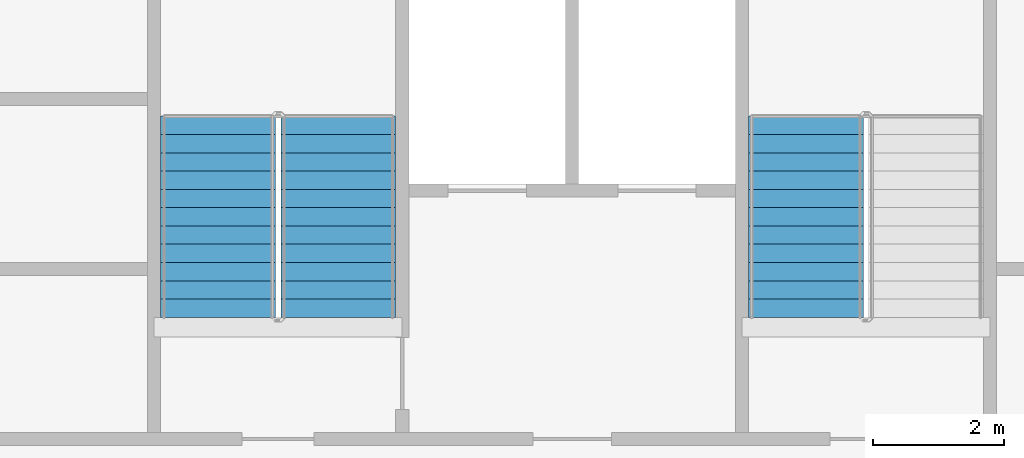
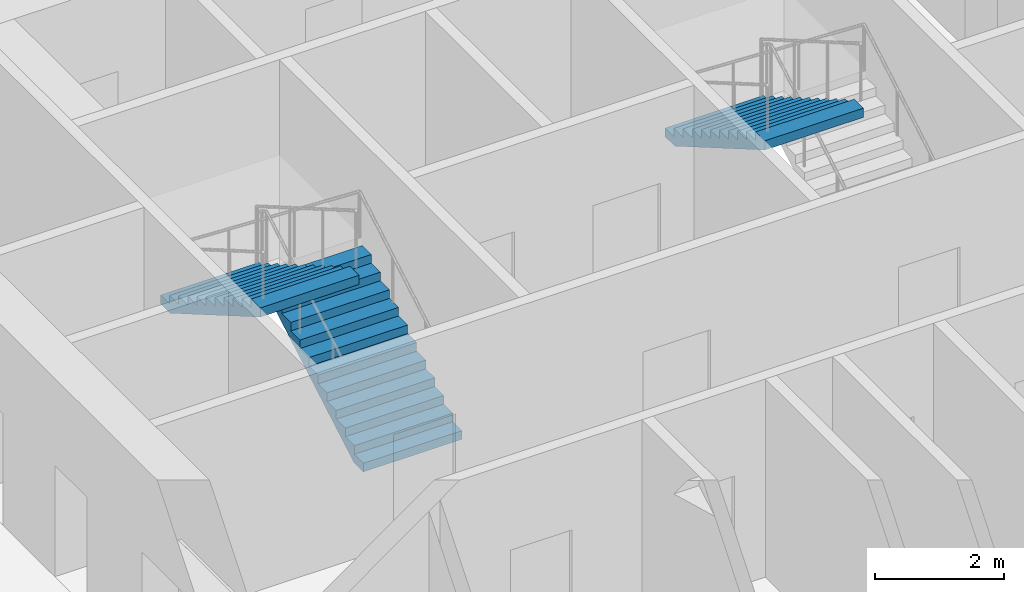
# One storey, part 16 of 22: 3 stair flights, 2 elements without a shape of their own.
"""IFC4 building model written with IfcOpenShell, lengths in metres."""

from ifc_helpers import new_model, si_unit, direction, frame, origin, place, context, subcontext, project, spatial, faceted_brep, material, type_object, element, aggregate, save


model = new_model("IFC4")

# Units and contexts
model_context = context("Model", 3, precision=1e-05, world=origin(), true_north=direction((0.0, 1.0)))
body_context = subcontext(model_context, "Body", "Model", "MODEL_VIEW")
ifc_project = project(units=[si_unit("LENGTHUNIT", "METRE"), si_unit("AREAUNIT", "SQUARE_METRE"), si_unit("VOLUMEUNIT", "CUBIC_METRE"), si_unit("PLANEANGLEUNIT", "RADIAN"), si_unit("MASSUNIT", "GRAM", prefix="KILO")], contexts=[model_context])

# Site, building, storey
site_placement = place(None, origin())
site = spatial("IfcSite", under=ifc_project, at=site_placement, CompositionType="ELEMENT")
building_placement = place(site_placement, origin())
building = spatial("IfcBuilding", under=site, at=building_placement, Name="Tarsis Ring Headquarters", CompositionType="ELEMENT")
storey_placement = place(building_placement, frame((0.0, 0.0, 147.60009765625)))
storey = spatial("IfcBuildingStorey", under=building, at=storey_placement, Name="L33", CompositionType="ELEMENT", Elevation=147.60009765625)

# Stair, stair flights
ifc_material_1 = material(Name="Core stair 1760")
stair_type = type_object("IfcStairType", Name="Core stair 1760", PredefinedType="HALF_TURN_STAIR", material=ifc_material_1)
stair_1_placement = place(storey_placement, origin())
stair_1 = element("IfcStair", 1, at=stair_1_placement, inside=storey, type_object=stair_type, Name="L33 Firefighting stair", PredefinedType="HALF_TURN_STAIR")
ifc_material_2 = material(Name="Concrete C40/50", Category="concrete")
stair_flight_type = type_object("IfcStairFlightType", Name="Core stair flight 1760", PredefinedType="STRAIGHT", material=ifc_material_2)
stair_flight_1_placement = place(storey_placement, frame((-3.580078125, 3.659912109375, 0.0), z_axis=(0.0, 0.0, 1.0), x_axis=(0.0, 1.0, 0.0)))
stair_flight_1 = element("IfcStairFlight", 2, at=stair_flight_1_placement, type_object=stair_flight_type, Name="Stair ST1 flight 1", NumberOfRisers=12, NumberOfTreads=11, PredefinedType="STRAIGHT", RiserHeight=0.1625, TreadLength=0.28, context=body_context, shape_type="Brep", body=[
    faceted_brep([(0.0, 0.8798828125, 0.0), (0.0, 0.8798828125, 0.16259765625), (0.280029296875, 0.8798828125, 0.16259765625), (0.280029296875, 0.8798828125, 0.324951171875), (0.56005859375, 0.8798828125, 0.324951171875), (0.56005859375, 0.8798828125, 0.487548828125), (0.840087890625, 0.8798828125, 0.487548828125), (0.840087890625, 0.8798828125, 0.64990234375), (1.1201171875, 0.8798828125, 0.64990234375), (1.1201171875, 0.8798828125, 0.8125), (1.39990234375, 0.8798828125, 0.8125), (1.39990234375, 0.8798828125, 0.97509765625), (1.679931640625, 0.8798828125, 0.97509765625), (1.679931640625, 0.8798828125, 1.137451171875), (1.9599609375, 0.8798828125, 1.137451171875), (1.9599609375, 0.8798828125, 1.300048828125), (2.239990234375, 0.8798828125, 1.300048828125), (2.239990234375, 0.8798828125, 1.46240234375), (2.52001953125, 0.8798828125, 1.46240234375), (2.52001953125, 0.8798828125, 1.625), (2.800048828125, 0.8798828125, 1.625), (2.800048828125, 0.8798828125, 1.78759765625), (3.080078125, 0.8798828125, 1.78759765625), (3.080078125, 0.8798828125, 1.6142578125), (0.298583984375, 0.8798828125, 0.0), (0.298583984375, -0.8798828125, 0.0), (3.080078125, -0.8798828125, 1.6142578125), (3.080078125, -0.8798828125, 1.78759765625), (2.800048828125, -0.8798828125, 1.78759765625), (2.800048828125, -0.8798828125, 1.625), (2.52001953125, -0.8798828125, 1.625), (2.52001953125, -0.8798828125, 1.46240234375), (2.239990234375, -0.8798828125, 1.46240234375), (2.239990234375, -0.8798828125, 1.300048828125), (1.9599609375, -0.8798828125, 1.300048828125), (1.9599609375, -0.8798828125, 1.137451171875), (1.679931640625, -0.8798828125, 1.137451171875), (1.679931640625, -0.8798828125, 0.97509765625), (1.39990234375, -0.8798828125, 0.97509765625), (1.39990234375, -0.8798828125, 0.8125), (1.1201171875, -0.8798828125, 0.8125), (1.1201171875, -0.8798828125, 0.64990234375), (0.840087890625, -0.8798828125, 0.64990234375), (0.840087890625, -0.8798828125, 0.487548828125), (0.56005859375, -0.8798828125, 0.487548828125), (0.56005859375, -0.8798828125, 0.324951171875), (0.280029296875, -0.8798828125, 0.324951171875), (0.280029296875, -0.8798828125, 0.16259765625), (0.0, -0.8798828125, 0.16259765625), (0.0, -0.8798828125, 0.0), (0.0, -0.43994140625, 0.16259765625), (0.0, -0.43994140625, 0.0), (0.0, 0.0, 0.16259765625), (0.0, 0.0, 0.0), (0.0, 0.43994140625, 0.16259765625), (0.0, 0.43994140625, 0.0), (0.280029296875, -0.43994140625, 0.16259765625), (0.280029296875, 0.0, 0.16259765625), (0.280029296875, 0.43994140625, 0.16259765625), (0.280029296875, -0.43994140625, 0.324951171875), (0.280029296875, 0.0, 0.324951171875), (0.280029296875, 0.43994140625, 0.324951171875), (0.56005859375, -0.43994140625, 0.324951171875), (0.56005859375, 0.0, 0.324951171875), (0.56005859375, 0.43994140625, 0.324951171875), (0.56005859375, -0.43994140625, 0.487548828125), (0.56005859375, 0.0, 0.487548828125), (0.56005859375, 0.43994140625, 0.487548828125), (0.840087890625, -0.43994140625, 0.487548828125), (0.840087890625, 0.0, 0.487548828125), (0.840087890625, 0.43994140625, 0.487548828125), (0.840087890625, -0.43994140625, 0.64990234375), (0.840087890625, 0.0, 0.64990234375), (0.840087890625, 0.43994140625, 0.64990234375), (1.1201171875, -0.43994140625, 0.64990234375), (1.1201171875, 0.0, 0.64990234375), (1.1201171875, 0.43994140625, 0.64990234375), (1.1201171875, -0.43994140625, 0.8125), (1.1201171875, 0.0, 0.8125), (1.1201171875, 0.43994140625, 0.8125), (1.39990234375, -0.43994140625, 0.8125), (1.39990234375, 0.0, 0.8125), (1.39990234375, 0.43994140625, 0.8125), (1.39990234375, -0.43994140625, 0.97509765625), (1.39990234375, 0.0, 0.97509765625), (1.39990234375, 0.43994140625, 0.97509765625), (1.679931640625, -0.43994140625, 0.97509765625), (1.679931640625, 0.0, 0.97509765625), (1.679931640625, 0.43994140625, 0.97509765625), (1.679931640625, -0.43994140625, 1.137451171875), (1.679931640625, 0.0, 1.137451171875), (1.679931640625, 0.43994140625, 1.137451171875), (1.9599609375, -0.43994140625, 1.137451171875), (1.9599609375, 0.0, 1.137451171875), (1.9599609375, 0.43994140625, 1.137451171875), (1.9599609375, -0.43994140625, 1.300048828125), (1.9599609375, 0.0, 1.300048828125), (1.9599609375, 0.43994140625, 1.300048828125), (2.239990234375, -0.43994140625, 1.300048828125), (2.239990234375, 0.0, 1.300048828125), (2.239990234375, 0.43994140625, 1.300048828125), (2.239990234375, -0.43994140625, 1.46240234375), (2.239990234375, 0.0, 1.46240234375), (2.239990234375, 0.43994140625, 1.46240234375), (2.52001953125, -0.43994140625, 1.46240234375), (2.52001953125, 0.0, 1.46240234375), (2.52001953125, 0.43994140625, 1.46240234375), (2.52001953125, -0.43994140625, 1.625), (2.52001953125, 0.0, 1.625), (2.52001953125, 0.43994140625, 1.625), (2.800048828125, -0.43994140625, 1.625), (2.800048828125, 0.0, 1.625), (2.800048828125, 0.43994140625, 1.625), (2.800048828125, -0.43994140625, 1.78759765625), (2.800048828125, 0.0, 1.78759765625), (2.800048828125, 0.43994140625, 1.78759765625), (3.080078125, -0.43994140625, 1.78759765625), (3.080078125, 0.0, 1.78759765625), (3.080078125, 0.43994140625, 1.78759765625), (3.080078125, -0.43994140625, 1.6142578125), (3.080078125, 0.0, 1.6142578125), (3.080078125, 0.43994140625, 1.6142578125), (0.298583984375, -0.43994140625, 0.0), (0.298583984375, 0.0, 0.0), (0.298583984375, 0.43994140625, 0.0)], [[[0, 1, 2, 3, 4, 5, 6, 7, 8, 9, 10, 11, 12, 13, 14, 15, 16, 17, 18, 19, 20, 21, 22, 23, 24]], [[25, 26, 27, 28, 29, 30, 31, 32, 33, 34, 35, 36, 37, 38, 39, 40, 41, 42, 43, 44, 45, 46, 47, 48, 49]], [[49, 48, 50, 51]], [[51, 50, 52, 53]], [[53, 52, 54, 55]], [[55, 54, 1, 0]], [[48, 47, 56, 50]], [[50, 56, 57, 52]], [[52, 57, 58, 54]], [[54, 58, 2, 1]], [[47, 46, 59, 56]], [[56, 59, 60, 57]], [[57, 60, 61, 58]], [[58, 61, 3, 2]], [[46, 45, 62, 59]], [[59, 62, 63, 60]], [[60, 63, 64, 61]], [[61, 64, 4, 3]], [[45, 44, 65, 62]], [[62, 65, 66, 63]], [[63, 66, 67, 64]], [[64, 67, 5, 4]], [[44, 43, 68, 65]], [[65, 68, 69, 66]], [[66, 69, 70, 67]], [[67, 70, 6, 5]], [[43, 42, 71, 68]], [[68, 71, 72, 69]], [[69, 72, 73, 70]], [[70, 73, 7, 6]], [[42, 41, 74, 71]], [[71, 74, 75, 72]], [[72, 75, 76, 73]], [[73, 76, 8, 7]], [[41, 40, 77, 74]], [[74, 77, 78, 75]], [[75, 78, 79, 76]], [[76, 79, 9, 8]], [[40, 39, 80, 77]], [[77, 80, 81, 78]], [[78, 81, 82, 79]], [[79, 82, 10, 9]], [[39, 38, 83, 80]], [[80, 83, 84, 81]], [[81, 84, 85, 82]], [[82, 85, 11, 10]], [[38, 37, 86, 83]], [[83, 86, 87, 84]], [[84, 87, 88, 85]], [[85, 88, 12, 11]], [[37, 36, 89, 86]], [[86, 89, 90, 87]], [[87, 90, 91, 88]], [[88, 91, 13, 12]], [[36, 35, 92, 89]], [[89, 92, 93, 90]], [[90, 93, 94, 91]], [[91, 94, 14, 13]], [[35, 34, 95, 92]], [[92, 95, 96, 93]], [[93, 96, 97, 94]], [[94, 97, 15, 14]], [[34, 33, 98, 95]], [[95, 98, 99, 96]], [[96, 99, 100, 97]], [[97, 100, 16, 15]], [[33, 32, 101, 98]], [[98, 101, 102, 99]], [[99, 102, 103, 100]], [[100, 103, 17, 16]], [[32, 31, 104, 101]], [[101, 104, 105, 102]], [[102, 105, 106, 103]], [[103, 106, 18, 17]], [[31, 30, 107, 104]], [[104, 107, 108, 105]], [[105, 108, 109, 106]], [[106, 109, 19, 18]], [[30, 29, 110, 107]], [[107, 110, 111, 108]], [[108, 111, 112, 109]], [[109, 112, 20, 19]], [[29, 28, 113, 110]], [[110, 113, 114, 111]], [[111, 114, 115, 112]], [[112, 115, 21, 20]], [[28, 27, 116, 113]], [[113, 116, 117, 114]], [[114, 117, 118, 115]], [[115, 118, 22, 21]], [[27, 26, 119, 116]], [[116, 119, 120, 117]], [[117, 120, 121, 118]], [[118, 121, 23, 22]], [[26, 25, 122, 119]], [[119, 122, 123, 120]], [[120, 123, 124, 121]], [[121, 124, 24, 23]], [[25, 49, 51, 122]], [[122, 51, 53, 123]], [[123, 53, 55, 124]], [[124, 55, 0, 24]]]),
])
stair_flight_2_placement = place(storey_placement, frame((-5.419921875, 6.739990234375, 1.949951171875), z_axis=(0.0, 0.0, 1.0), x_axis=(0.0, -1.0, 0.0)))
stair_flight_2 = element("IfcStairFlight", 3, at=stair_flight_2_placement, type_object=stair_flight_type, Name="Stair ST1 flight 2", NumberOfRisers=12, NumberOfTreads=11, PredefinedType="STRAIGHT", RiserHeight=0.1625, TreadLength=0.28, context=body_context, shape_type="Brep", body=[
    faceted_brep([(0.0, 0.8798828125, 0.0), (0.0, 0.8798828125, 0.16259765625), (0.280029296875, 0.8798828125, 0.16259765625), (0.280029296875, 0.8798828125, 0.324951171875), (0.56005859375, 0.8798828125, 0.324951171875), (0.56005859375, 0.8798828125, 0.487548828125), (0.840087890625, 0.8798828125, 0.487548828125), (0.840087890625, 0.8798828125, 0.64990234375), (1.1201171875, 0.8798828125, 0.64990234375), (1.1201171875, 0.8798828125, 0.8125), (1.39990234375, 0.8798828125, 0.8125), (1.39990234375, 0.8798828125, 0.97509765625), (1.679931640625, 0.8798828125, 0.97509765625), (1.679931640625, 0.8798828125, 1.137451171875), (1.9599609375, 0.8798828125, 1.137451171875), (1.9599609375, 0.8798828125, 1.300048828125), (2.239990234375, 0.8798828125, 1.300048828125), (2.239990234375, 0.8798828125, 1.46240234375), (2.52001953125, 0.8798828125, 1.46240234375), (2.52001953125, 0.8798828125, 1.625), (2.800048828125, 0.8798828125, 1.625), (2.800048828125, 0.8798828125, 1.78759765625), (3.080078125, 0.8798828125, 1.78759765625), (3.080078125, 0.8798828125, 1.6142578125), (0.298583984375, 0.8798828125, 0.0), (0.298583984375, -0.8798828125, 0.0), (3.080078125, -0.8798828125, 1.6142578125), (3.080078125, -0.8798828125, 1.78759765625), (2.800048828125, -0.8798828125, 1.78759765625), (2.800048828125, -0.8798828125, 1.625), (2.52001953125, -0.8798828125, 1.625), (2.52001953125, -0.8798828125, 1.46240234375), (2.239990234375, -0.8798828125, 1.46240234375), (2.239990234375, -0.8798828125, 1.300048828125), (1.9599609375, -0.8798828125, 1.300048828125), (1.9599609375, -0.8798828125, 1.137451171875), (1.679931640625, -0.8798828125, 1.137451171875), (1.679931640625, -0.8798828125, 0.97509765625), (1.39990234375, -0.8798828125, 0.97509765625), (1.39990234375, -0.8798828125, 0.8125), (1.1201171875, -0.8798828125, 0.8125), (1.1201171875, -0.8798828125, 0.64990234375), (0.840087890625, -0.8798828125, 0.64990234375), (0.840087890625, -0.8798828125, 0.487548828125), (0.56005859375, -0.8798828125, 0.487548828125), (0.56005859375, -0.8798828125, 0.324951171875), (0.280029296875, -0.8798828125, 0.324951171875), (0.280029296875, -0.8798828125, 0.16259765625), (0.0, -0.8798828125, 0.16259765625), (0.0, -0.8798828125, 0.0), (0.0, -0.43994140625, 0.16259765625), (0.0, -0.43994140625, 0.0), (0.0, 0.0, 0.16259765625), (0.0, 0.0, 0.0), (0.0, 0.43994140625, 0.16259765625), (0.0, 0.43994140625, 0.0), (0.280029296875, -0.43994140625, 0.16259765625), (0.280029296875, 0.0, 0.16259765625), (0.280029296875, 0.43994140625, 0.16259765625), (0.280029296875, -0.43994140625, 0.324951171875), (0.280029296875, 0.0, 0.324951171875), (0.280029296875, 0.43994140625, 0.324951171875), (0.56005859375, -0.43994140625, 0.324951171875), (0.56005859375, 0.0, 0.324951171875), (0.56005859375, 0.43994140625, 0.324951171875), (0.56005859375, -0.43994140625, 0.487548828125), (0.56005859375, 0.0, 0.487548828125), (0.56005859375, 0.43994140625, 0.487548828125), (0.840087890625, -0.43994140625, 0.487548828125), (0.840087890625, 0.0, 0.487548828125), (0.840087890625, 0.43994140625, 0.487548828125), (0.840087890625, -0.43994140625, 0.64990234375), (0.840087890625, 0.0, 0.64990234375), (0.840087890625, 0.43994140625, 0.64990234375), (1.1201171875, -0.43994140625, 0.64990234375), (1.1201171875, 0.0, 0.64990234375), (1.1201171875, 0.43994140625, 0.64990234375), (1.1201171875, -0.43994140625, 0.8125), (1.1201171875, 0.0, 0.8125), (1.1201171875, 0.43994140625, 0.8125), (1.39990234375, -0.43994140625, 0.8125), (1.39990234375, 0.0, 0.8125), (1.39990234375, 0.43994140625, 0.8125), (1.39990234375, -0.43994140625, 0.97509765625), (1.39990234375, 0.0, 0.97509765625), (1.39990234375, 0.43994140625, 0.97509765625), (1.679931640625, -0.43994140625, 0.97509765625), (1.679931640625, 0.0, 0.97509765625), (1.679931640625, 0.43994140625, 0.97509765625), (1.679931640625, -0.43994140625, 1.137451171875), (1.679931640625, 0.0, 1.137451171875), (1.679931640625, 0.43994140625, 1.137451171875), (1.9599609375, -0.43994140625, 1.137451171875), (1.9599609375, 0.0, 1.137451171875), (1.9599609375, 0.43994140625, 1.137451171875), (1.9599609375, -0.43994140625, 1.300048828125), (1.9599609375, 0.0, 1.300048828125), (1.9599609375, 0.43994140625, 1.300048828125), (2.239990234375, -0.43994140625, 1.300048828125), (2.239990234375, 0.0, 1.300048828125), (2.239990234375, 0.43994140625, 1.300048828125), (2.239990234375, -0.43994140625, 1.46240234375), (2.239990234375, 0.0, 1.46240234375), (2.239990234375, 0.43994140625, 1.46240234375), (2.52001953125, -0.43994140625, 1.46240234375), (2.52001953125, 0.0, 1.46240234375), (2.52001953125, 0.43994140625, 1.46240234375), (2.52001953125, -0.43994140625, 1.625), (2.52001953125, 0.0, 1.625), (2.52001953125, 0.43994140625, 1.625), (2.800048828125, -0.43994140625, 1.625), (2.800048828125, 0.0, 1.625), (2.800048828125, 0.43994140625, 1.625), (2.800048828125, -0.43994140625, 1.78759765625), (2.800048828125, 0.0, 1.78759765625), (2.800048828125, 0.43994140625, 1.78759765625), (3.080078125, -0.43994140625, 1.78759765625), (3.080078125, 0.0, 1.78759765625), (3.080078125, 0.43994140625, 1.78759765625), (3.080078125, -0.43994140625, 1.6142578125), (3.080078125, 0.0, 1.6142578125), (3.080078125, 0.43994140625, 1.6142578125), (0.298583984375, -0.43994140625, 0.0), (0.298583984375, 0.0, 0.0), (0.298583984375, 0.43994140625, 0.0)], [[[0, 1, 2, 3, 4, 5, 6, 7, 8, 9, 10, 11, 12, 13, 14, 15, 16, 17, 18, 19, 20, 21, 22, 23, 24]], [[25, 26, 27, 28, 29, 30, 31, 32, 33, 34, 35, 36, 37, 38, 39, 40, 41, 42, 43, 44, 45, 46, 47, 48, 49]], [[49, 48, 50, 51]], [[51, 50, 52, 53]], [[53, 52, 54, 55]], [[55, 54, 1, 0]], [[48, 47, 56, 50]], [[50, 56, 57, 52]], [[52, 57, 58, 54]], [[54, 58, 2, 1]], [[47, 46, 59, 56]], [[56, 59, 60, 57]], [[57, 60, 61, 58]], [[58, 61, 3, 2]], [[46, 45, 62, 59]], [[59, 62, 63, 60]], [[60, 63, 64, 61]], [[61, 64, 4, 3]], [[45, 44, 65, 62]], [[62, 65, 66, 63]], [[63, 66, 67, 64]], [[64, 67, 5, 4]], [[44, 43, 68, 65]], [[65, 68, 69, 66]], [[66, 69, 70, 67]], [[67, 70, 6, 5]], [[43, 42, 71, 68]], [[68, 71, 72, 69]], [[69, 72, 73, 70]], [[70, 73, 7, 6]], [[42, 41, 74, 71]], [[71, 74, 75, 72]], [[72, 75, 76, 73]], [[73, 76, 8, 7]], [[41, 40, 77, 74]], [[74, 77, 78, 75]], [[75, 78, 79, 76]], [[76, 79, 9, 8]], [[40, 39, 80, 77]], [[77, 80, 81, 78]], [[78, 81, 82, 79]], [[79, 82, 10, 9]], [[39, 38, 83, 80]], [[80, 83, 84, 81]], [[81, 84, 85, 82]], [[82, 85, 11, 10]], [[38, 37, 86, 83]], [[83, 86, 87, 84]], [[84, 87, 88, 85]], [[85, 88, 12, 11]], [[37, 36, 89, 86]], [[86, 89, 90, 87]], [[87, 90, 91, 88]], [[88, 91, 13, 12]], [[36, 35, 92, 89]], [[89, 92, 93, 90]], [[90, 93, 94, 91]], [[91, 94, 14, 13]], [[35, 34, 95, 92]], [[92, 95, 96, 93]], [[93, 96, 97, 94]], [[94, 97, 15, 14]], [[34, 33, 98, 95]], [[95, 98, 99, 96]], [[96, 99, 100, 97]], [[97, 100, 16, 15]], [[33, 32, 101, 98]], [[98, 101, 102, 99]], [[99, 102, 103, 100]], [[100, 103, 17, 16]], [[32, 31, 104, 101]], [[101, 104, 105, 102]], [[102, 105, 106, 103]], [[103, 106, 18, 17]], [[31, 30, 107, 104]], [[104, 107, 108, 105]], [[105, 108, 109, 106]], [[106, 109, 19, 18]], [[30, 29, 110, 107]], [[107, 110, 111, 108]], [[108, 111, 112, 109]], [[109, 112, 20, 19]], [[29, 28, 113, 110]], [[110, 113, 114, 111]], [[111, 114, 115, 112]], [[112, 115, 21, 20]], [[28, 27, 116, 113]], [[113, 116, 117, 114]], [[114, 117, 118, 115]], [[115, 118, 22, 21]], [[27, 26, 119, 116]], [[116, 119, 120, 117]], [[117, 120, 121, 118]], [[118, 121, 23, 22]], [[26, 25, 122, 119]], [[119, 122, 123, 120]], [[120, 123, 124, 121]], [[121, 124, 24, 23]], [[25, 49, 51, 122]], [[122, 51, 53, 123]], [[123, 53, 55, 124]], [[124, 55, 0, 24]]]),
])
aggregate(stair_1, [stair_flight_1, stair_flight_2])

# Stair, stair flight
stair_2_placement = place(storey_placement, origin())
stair_2 = element("IfcStair", 4, at=stair_2_placement, inside=storey, type_object=stair_type, Name="L33 Exit stair B", PredefinedType="HALF_TURN_STAIR")
stair_flight_3_placement = place(storey_placement, frame((3.580078125, 6.739990234375, 1.949951171875), z_axis=(0.0, 0.0, 1.0), x_axis=(0.0, -1.0, 0.0)))
stair_flight_3 = element("IfcStairFlight", 5, at=stair_flight_3_placement, type_object=stair_flight_type, Name="Stair ST2 flight 2", NumberOfRisers=12, NumberOfTreads=11, PredefinedType="STRAIGHT", RiserHeight=0.1625, TreadLength=0.28, context=body_context, shape_type="Brep", body=[
    faceted_brep([(0.0, 0.8798828125, 0.0), (0.0, 0.8798828125, 0.16259765625), (0.280029296875, 0.8798828125, 0.16259765625), (0.280029296875, 0.8798828125, 0.324951171875), (0.56005859375, 0.8798828125, 0.324951171875), (0.56005859375, 0.8798828125, 0.487548828125), (0.840087890625, 0.8798828125, 0.487548828125), (0.840087890625, 0.8798828125, 0.64990234375), (1.1201171875, 0.8798828125, 0.64990234375), (1.1201171875, 0.8798828125, 0.8125), (1.39990234375, 0.8798828125, 0.8125), (1.39990234375, 0.8798828125, 0.97509765625), (1.679931640625, 0.8798828125, 0.97509765625), (1.679931640625, 0.8798828125, 1.137451171875), (1.9599609375, 0.8798828125, 1.137451171875), (1.9599609375, 0.8798828125, 1.300048828125), (2.239990234375, 0.8798828125, 1.300048828125), (2.239990234375, 0.8798828125, 1.46240234375), (2.52001953125, 0.8798828125, 1.46240234375), (2.52001953125, 0.8798828125, 1.625), (2.800048828125, 0.8798828125, 1.625), (2.800048828125, 0.8798828125, 1.78759765625), (3.080078125, 0.8798828125, 1.78759765625), (3.080078125, 0.8798828125, 1.6142578125), (0.298583984375, 0.8798828125, 0.0), (0.298583984375, -0.8798828125, 0.0), (3.080078125, -0.8798828125, 1.6142578125), (3.080078125, -0.8798828125, 1.78759765625), (2.800048828125, -0.8798828125, 1.78759765625), (2.800048828125, -0.8798828125, 1.625), (2.52001953125, -0.8798828125, 1.625), (2.52001953125, -0.8798828125, 1.46240234375), (2.239990234375, -0.8798828125, 1.46240234375), (2.239990234375, -0.8798828125, 1.300048828125), (1.9599609375, -0.8798828125, 1.300048828125), (1.9599609375, -0.8798828125, 1.137451171875), (1.679931640625, -0.8798828125, 1.137451171875), (1.679931640625, -0.8798828125, 0.97509765625), (1.39990234375, -0.8798828125, 0.97509765625), (1.39990234375, -0.8798828125, 0.8125), (1.1201171875, -0.8798828125, 0.8125), (1.1201171875, -0.8798828125, 0.64990234375), (0.840087890625, -0.8798828125, 0.64990234375), (0.840087890625, -0.8798828125, 0.487548828125), (0.56005859375, -0.8798828125, 0.487548828125), (0.56005859375, -0.8798828125, 0.324951171875), (0.280029296875, -0.8798828125, 0.324951171875), (0.280029296875, -0.8798828125, 0.16259765625), (0.0, -0.8798828125, 0.16259765625), (0.0, -0.8798828125, 0.0), (0.0, -0.43994140625, 0.16259765625), (0.0, -0.43994140625, 0.0), (0.0, 0.0, 0.16259765625), (0.0, 0.0, 0.0), (0.0, 0.43994140625, 0.16259765625), (0.0, 0.43994140625, 0.0), (0.280029296875, -0.43994140625, 0.16259765625), (0.280029296875, 0.0, 0.16259765625), (0.280029296875, 0.43994140625, 0.16259765625), (0.280029296875, -0.43994140625, 0.324951171875), (0.280029296875, 0.0, 0.324951171875), (0.280029296875, 0.43994140625, 0.324951171875), (0.56005859375, -0.43994140625, 0.324951171875), (0.56005859375, 0.0, 0.324951171875), (0.56005859375, 0.43994140625, 0.324951171875), (0.56005859375, -0.43994140625, 0.487548828125), (0.56005859375, 0.0, 0.487548828125), (0.56005859375, 0.43994140625, 0.487548828125), (0.840087890625, -0.43994140625, 0.487548828125), (0.840087890625, 0.0, 0.487548828125), (0.840087890625, 0.43994140625, 0.487548828125), (0.840087890625, -0.43994140625, 0.64990234375), (0.840087890625, 0.0, 0.64990234375), (0.840087890625, 0.43994140625, 0.64990234375), (1.1201171875, -0.43994140625, 0.64990234375), (1.1201171875, 0.0, 0.64990234375), (1.1201171875, 0.43994140625, 0.64990234375), (1.1201171875, -0.43994140625, 0.8125), (1.1201171875, 0.0, 0.8125), (1.1201171875, 0.43994140625, 0.8125), (1.39990234375, -0.43994140625, 0.8125), (1.39990234375, 0.0, 0.8125), (1.39990234375, 0.43994140625, 0.8125), (1.39990234375, -0.43994140625, 0.97509765625), (1.39990234375, 0.0, 0.97509765625), (1.39990234375, 0.43994140625, 0.97509765625), (1.679931640625, -0.43994140625, 0.97509765625), (1.679931640625, 0.0, 0.97509765625), (1.679931640625, 0.43994140625, 0.97509765625), (1.679931640625, -0.43994140625, 1.137451171875), (1.679931640625, 0.0, 1.137451171875), (1.679931640625, 0.43994140625, 1.137451171875), (1.9599609375, -0.43994140625, 1.137451171875), (1.9599609375, 0.0, 1.137451171875), (1.9599609375, 0.43994140625, 1.137451171875), (1.9599609375, -0.43994140625, 1.300048828125), (1.9599609375, 0.0, 1.300048828125), (1.9599609375, 0.43994140625, 1.300048828125), (2.239990234375, -0.43994140625, 1.300048828125), (2.239990234375, 0.0, 1.300048828125), (2.239990234375, 0.43994140625, 1.300048828125), (2.239990234375, -0.43994140625, 1.46240234375), (2.239990234375, 0.0, 1.46240234375), (2.239990234375, 0.43994140625, 1.46240234375), (2.52001953125, -0.43994140625, 1.46240234375), (2.52001953125, 0.0, 1.46240234375), (2.52001953125, 0.43994140625, 1.46240234375), (2.52001953125, -0.43994140625, 1.625), (2.52001953125, 0.0, 1.625), (2.52001953125, 0.43994140625, 1.625), (2.800048828125, -0.43994140625, 1.625), (2.800048828125, 0.0, 1.625), (2.800048828125, 0.43994140625, 1.625), (2.800048828125, -0.43994140625, 1.78759765625), (2.800048828125, 0.0, 1.78759765625), (2.800048828125, 0.43994140625, 1.78759765625), (3.080078125, -0.43994140625, 1.78759765625), (3.080078125, 0.0, 1.78759765625), (3.080078125, 0.43994140625, 1.78759765625), (3.080078125, -0.43994140625, 1.6142578125), (3.080078125, 0.0, 1.6142578125), (3.080078125, 0.43994140625, 1.6142578125), (0.298583984375, -0.43994140625, 0.0), (0.298583984375, 0.0, 0.0), (0.298583984375, 0.43994140625, 0.0)], [[[0, 1, 2, 3, 4, 5, 6, 7, 8, 9, 10, 11, 12, 13, 14, 15, 16, 17, 18, 19, 20, 21, 22, 23, 24]], [[25, 26, 27, 28, 29, 30, 31, 32, 33, 34, 35, 36, 37, 38, 39, 40, 41, 42, 43, 44, 45, 46, 47, 48, 49]], [[49, 48, 50, 51]], [[51, 50, 52, 53]], [[53, 52, 54, 55]], [[55, 54, 1, 0]], [[48, 47, 56, 50]], [[50, 56, 57, 52]], [[52, 57, 58, 54]], [[54, 58, 2, 1]], [[47, 46, 59, 56]], [[56, 59, 60, 57]], [[57, 60, 61, 58]], [[58, 61, 3, 2]], [[46, 45, 62, 59]], [[59, 62, 63, 60]], [[60, 63, 64, 61]], [[61, 64, 4, 3]], [[45, 44, 65, 62]], [[62, 65, 66, 63]], [[63, 66, 67, 64]], [[64, 67, 5, 4]], [[44, 43, 68, 65]], [[65, 68, 69, 66]], [[66, 69, 70, 67]], [[67, 70, 6, 5]], [[43, 42, 71, 68]], [[68, 71, 72, 69]], [[69, 72, 73, 70]], [[70, 73, 7, 6]], [[42, 41, 74, 71]], [[71, 74, 75, 72]], [[72, 75, 76, 73]], [[73, 76, 8, 7]], [[41, 40, 77, 74]], [[74, 77, 78, 75]], [[75, 78, 79, 76]], [[76, 79, 9, 8]], [[40, 39, 80, 77]], [[77, 80, 81, 78]], [[78, 81, 82, 79]], [[79, 82, 10, 9]], [[39, 38, 83, 80]], [[80, 83, 84, 81]], [[81, 84, 85, 82]], [[82, 85, 11, 10]], [[38, 37, 86, 83]], [[83, 86, 87, 84]], [[84, 87, 88, 85]], [[85, 88, 12, 11]], [[37, 36, 89, 86]], [[86, 89, 90, 87]], [[87, 90, 91, 88]], [[88, 91, 13, 12]], [[36, 35, 92, 89]], [[89, 92, 93, 90]], [[90, 93, 94, 91]], [[91, 94, 14, 13]], [[35, 34, 95, 92]], [[92, 95, 96, 93]], [[93, 96, 97, 94]], [[94, 97, 15, 14]], [[34, 33, 98, 95]], [[95, 98, 99, 96]], [[96, 99, 100, 97]], [[97, 100, 16, 15]], [[33, 32, 101, 98]], [[98, 101, 102, 99]], [[99, 102, 103, 100]], [[100, 103, 17, 16]], [[32, 31, 104, 101]], [[101, 104, 105, 102]], [[102, 105, 106, 103]], [[103, 106, 18, 17]], [[31, 30, 107, 104]], [[104, 107, 108, 105]], [[105, 108, 109, 106]], [[106, 109, 19, 18]], [[30, 29, 110, 107]], [[107, 110, 111, 108]], [[108, 111, 112, 109]], [[109, 112, 20, 19]], [[29, 28, 113, 110]], [[110, 113, 114, 111]], [[111, 114, 115, 112]], [[112, 115, 21, 20]], [[28, 27, 116, 113]], [[113, 116, 117, 114]], [[114, 117, 118, 115]], [[115, 118, 22, 21]], [[27, 26, 119, 116]], [[116, 119, 120, 117]], [[117, 120, 121, 118]], [[118, 121, 23, 22]], [[26, 25, 122, 119]], [[119, 122, 123, 120]], [[120, 123, 124, 121]], [[121, 124, 24, 23]], [[25, 49, 51, 122]], [[122, 51, 53, 123]], [[123, 53, 55, 124]], [[124, 55, 0, 24]]]),
])
aggregate(stair_2, [stair_flight_3])

save(model, "model.ifc")
